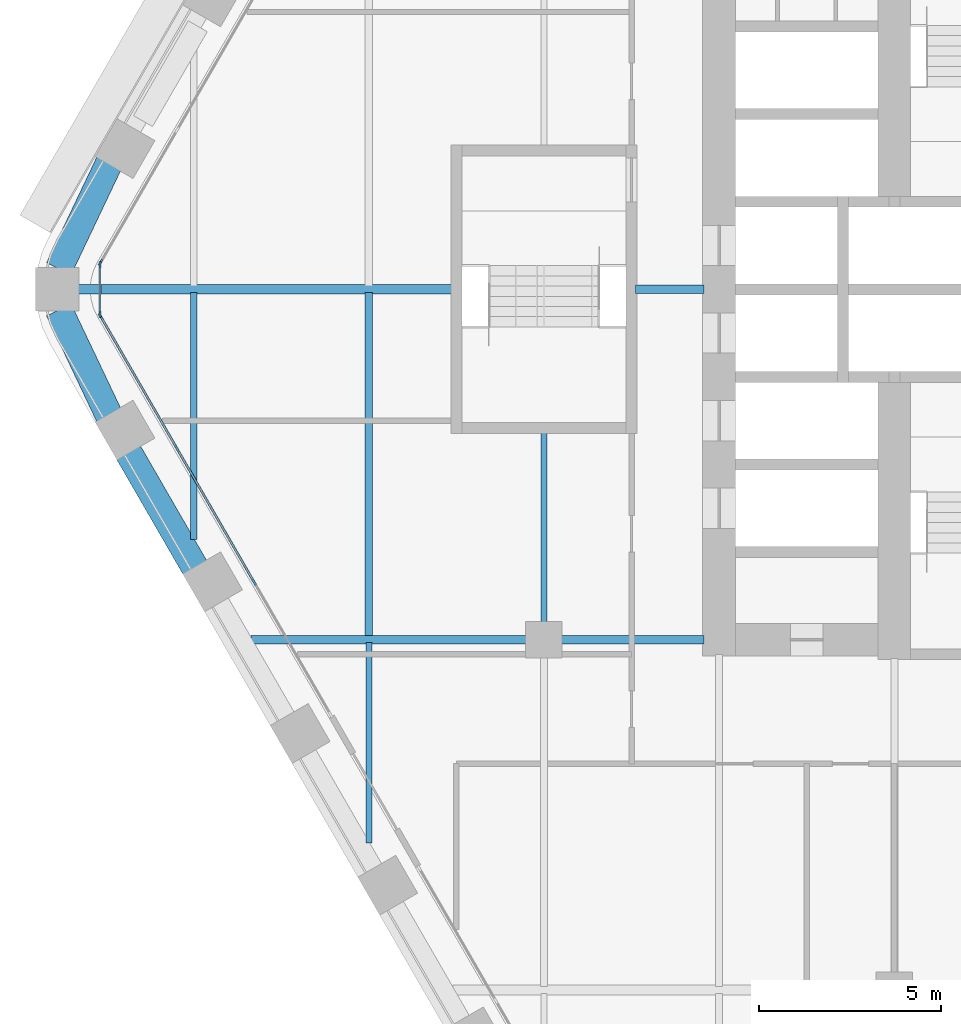
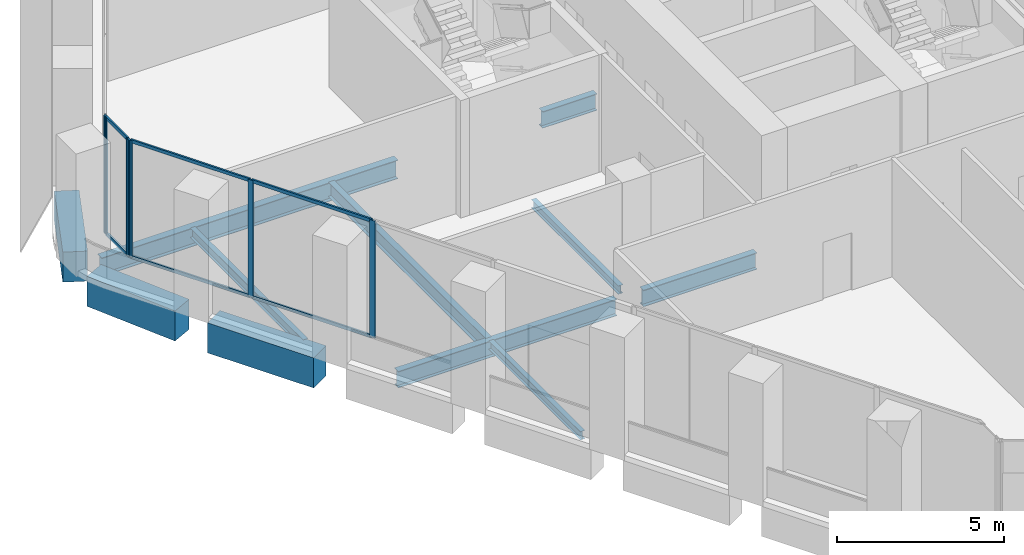
# One storey, part 3 of 22: 12 members, 11 beams, 3 elements without a shape of their own.
"""IFC4 building model written with IfcOpenShell, lengths in metres."""

from ifc_helpers import new_model, si_unit, direction, frame, origin, origin_2d, place, context, subcontext, project, spatial, rectangle, i_section, extrude, material, material_profile, profile_set, type_object, element, aggregate, save


model = new_model("IFC4")

# Units and contexts
model_context = context("Model", 3, precision=1e-05, world=origin(), true_north=direction((0.0, 1.0)))
body_context = subcontext(model_context, "Body", "Model", "MODEL_VIEW")
ifc_project = project(units=[si_unit("LENGTHUNIT", "METRE"), si_unit("AREAUNIT", "SQUARE_METRE"), si_unit("VOLUMEUNIT", "CUBIC_METRE"), si_unit("PLANEANGLEUNIT", "RADIAN"), si_unit("MASSUNIT", "GRAM", prefix="KILO")], contexts=[model_context])

# Site, building, storey
site_placement = place(None, origin())
site = spatial("IfcSite", under=ifc_project, at=site_placement, CompositionType="ELEMENT")
building_placement = place(site_placement, origin())
building = spatial("IfcBuilding", under=site, at=building_placement, Name="Kolab Exchange Tower", CompositionType="ELEMENT")
storey_placement = place(building_placement, frame((0.0, 0.0, 82.39990234375)))
storey = spatial("IfcBuildingStorey", under=building, at=storey_placement, Name="L15", CompositionType="ELEMENT", Elevation=82.39990234375)

# Beams
ifc_material_1 = material(Name="Steel S355", Category="steel")
ifc_material_profile_1 = material_profile(ifc_material_1, i_section(OverallWidth=0.1650390625, OverallDepth=0.31005859375, WebThickness=0.005859375, FlangeThickness=0.009765625, at=origin_2d()), Name="W310X39")
ifc_profile_set_1 = profile_set([ifc_material_profile_1], Name="Steel S355")
beam_type_1 = type_object("IfcBeamType", Name="FLOOR BEAM W310X39", PredefinedType="BEAM", material=ifc_profile_set_1)
beam_1_placement = place(storey_placement, frame((-24.0, -15.167724609375, -0.35498046875), z_axis=(0.0, 1.0, 0.0), x_axis=(-1.0, 0.0, 0.0)))
element("IfcBeam", 1, at=beam_1_placement, inside=storey, type_object=beam_type_1, Name="beam/L15/fr/002", PredefinedType="BEAM", context=body_context, shape_type="SweptSolid", body=[
    extrude(i_section(OverallWidth=0.1650390625, OverallDepth=0.31005859375, WebThickness=0.005859375, FlangeThickness=0.009765625, at=origin_2d()), origin(), (0.0, 0.0, 1.0), 5.49365234375),
])
beam_2_placement = place(storey_placement, frame((-19.199951171875, -9.139892578125, -0.35498046875), z_axis=(0.0, 1.0, 0.0), x_axis=(-1.0, 0.0, 0.0)))
element("IfcBeam", 2, at=beam_2_placement, inside=storey, type_object=beam_type_1, Name="beam/L15/fr/008", PredefinedType="BEAM", context=body_context, shape_type="SweptSolid", body=[
    extrude(i_section(OverallWidth=0.1650390625, OverallDepth=0.31005859375, WebThickness=0.005859375, FlangeThickness=0.009765625, at=origin_2d()), origin(), (0.0, 0.0, 1.0), 5.22998046875),
])
ifc_material_profile_2 = material_profile(ifc_material_1, i_section(OverallWidth=0.1708984375, OverallDepth=0.35498046875, WebThickness=0.007080078125, FlangeThickness=0.01171875, at=origin_2d()), Name="W360X51")
ifc_profile_set_2 = profile_set([ifc_material_profile_2], Name="Steel S355")
beam_type_2 = type_object("IfcBeamType", Name="FLOOR BEAM W360X51", PredefinedType="BEAM", material=ifc_profile_set_2)
beam_3_placement = place(storey_placement, frame((-28.800048828125, -6.853759765625, -0.37744140625), z_axis=(0.0, 1.0, 0.0), x_axis=(-1.0, 0.0, 0.0)))
element("IfcBeam", 3, at=beam_3_placement, inside=storey, type_object=beam_type_2, Name="beam/L15/fr/000", PredefinedType="BEAM", context=body_context, shape_type="SweptSolid", body=[
    extrude(i_section(OverallWidth=0.1708984375, OverallDepth=0.35498046875, WebThickness=0.007080078125, FlangeThickness=0.01171875, at=origin_2d()), origin(), (0.0, 0.0, 1.0), 6.766845703125),
])
ifc_material_profile_3 = material_profile(ifc_material_1, i_section(OverallWidth=0.208984375, OverallDepth=0.532958984375, WebThickness=0.01025390625, FlangeThickness=0.015625, at=origin_2d()), Name="W530X92")
ifc_profile_set_3 = profile_set([ifc_material_profile_3], Name="Steel S355")
beam_type_3 = type_object("IfcBeamType", Name="FLOOR BEAM W530X92", PredefinedType="BEAM", material=ifc_profile_set_3)
beam_4_placement = place(storey_placement, frame((-24.0, -9.52587890625, -0.46630859375), z_axis=(0.0, 1.0, 0.0), x_axis=(-1.0, 0.0, 0.0)))
element("IfcBeam", 4, at=beam_4_placement, inside=storey, type_object=beam_type_3, Name="beam/L15/fr/003", PredefinedType="BEAM", context=body_context, shape_type="SweptSolid", body=[
    extrude(i_section(OverallWidth=0.208984375, OverallDepth=0.532958984375, WebThickness=0.01025390625, FlangeThickness=0.015625, at=origin_2d()), origin(), (0.0, 0.0, 1.0), 9.43896484375),
])
ifc_material_profile_4 = material_profile(ifc_material_1, i_section(OverallWidth=0.22802734375, OverallDepth=0.60791015625, WebThickness=0.01123046875, FlangeThickness=0.017333984375, at=origin_2d()), Name="W610X113")
ifc_profile_set_4 = profile_set([ifc_material_profile_4], Name="Steel S355")
beam_type_4 = type_object("IfcBeamType", Name="FLOOR GIRDER W610X113", PredefinedType="BEAM", material=ifc_profile_set_4)
beam_5_placement = place(storey_placement, frame((-27.2314453125, -9.60009765625, -0.50390625), z_axis=(1.0, 0.0, 0.0), x_axis=(0.0, 1.0, 0.0)))
element("IfcBeam", 5, at=beam_5_placement, inside=storey, type_object=beam_type_4, Name="beam/L15/gd/001", PredefinedType="BEAM", context=body_context, shape_type="SweptSolid", body=[
    extrude(i_section(OverallWidth=0.22802734375, OverallDepth=0.60791015625, WebThickness=0.01123046875, FlangeThickness=0.017333984375, at=origin_2d()), origin(), (0.0, 0.0, 1.0), 7.571533203125),
])
beam_6_placement = place(storey_placement, frame((-18.739990234375, -9.60009765625, -0.50390625), z_axis=(1.0, 0.0, 0.0), x_axis=(0.0, 1.0, 0.0)))
element("IfcBeam", 6, at=beam_6_placement, inside=storey, type_object=beam_type_4, Name="beam/L15/gd/005", PredefinedType="BEAM", context=body_context, shape_type="SweptSolid", body=[
    extrude(i_section(OverallWidth=0.22802734375, OverallDepth=0.60791015625, WebThickness=0.01123046875, FlangeThickness=0.017333984375, at=origin_2d()), origin(), (0.0, 0.0, 1.0), 3.929931640625),
])
beam_7_placement = place(storey_placement, frame((-16.68994140625, 0.0, -0.50390625), z_axis=(1.0, 0.0, 0.0), x_axis=(0.0, 1.0, 0.0)))
element("IfcBeam", 7, at=beam_7_placement, inside=storey, type_object=beam_type_4, Name="beam/L15/gd/007", PredefinedType="BEAM", context=body_context, shape_type="SweptSolid", body=[
    extrude(i_section(OverallWidth=0.22802734375, OverallDepth=0.60791015625, WebThickness=0.01123046875, FlangeThickness=0.017333984375, at=origin_2d()), origin(), (0.0, 0.0, 1.0), 1.8798828125),
])
ifc_material_profile_5 = material_profile(ifc_material_1, i_section(OverallWidth=0.25390625, OverallDepth=0.68408203125, WebThickness=0.012451171875, FlangeThickness=0.018798828125, at=origin_2d()), Name="W690X140")
ifc_profile_set_5 = profile_set([ifc_material_profile_5], Name="Steel S355")
beam_type_5 = type_object("IfcBeamType", Name="FLOOR GIRDER W690X140", PredefinedType="BEAM", material=ifc_profile_set_5)
beam_8_placement = place(storey_placement, frame((-31.975830078125, 0.0, -0.5419921875), z_axis=(1.0, 0.0, 0.0), x_axis=(0.0, 1.0, 0.0)))
element("IfcBeam", 8, at=beam_8_placement, inside=storey, type_object=beam_type_5, Name="beam/L15/gd/000", PredefinedType="BEAM", context=body_context, shape_type="SweptSolid", body=[
    extrude(i_section(OverallWidth=0.25390625, OverallDepth=0.68408203125, WebThickness=0.012451171875, FlangeThickness=0.018798828125, at=origin_2d()), origin(), (0.0, 0.0, 1.0), 10.265869140625),
])
ifc_material_2 = material(Name="Concrete C70/85", Category="concrete")
ifc_material_profile_6 = material_profile(ifc_material_2, rectangle(XDim=0.75, YDim=1.10009765625, at=origin_2d()), Name="RC750X1100")
ifc_profile_set_6 = profile_set([ifc_material_profile_6], Name="Concrete C70/85")
beam_type_6 = type_object("IfcBeamType", Name="SPANDREL BEAM 750X1100 C70/85", PredefinedType="BEAM", material=ifc_profile_set_6)
beam_9_placement = place(storey_placement, frame((-28.755126953125, -7.641357421875, -0.75), z_axis=(-0.500013413428, 0.866017659399, 0.0), x_axis=(-0.866017659399, -0.500013413428, 0.0)))
element("IfcBeam", 9, at=beam_9_placement, inside=storey, type_object=beam_type_6, Name="beam/L15/sp/F5-06", PredefinedType="BEAM", context=body_context, shape_type="SweptSolid", body=[
    extrude(rectangle(XDim=0.75, YDim=1.10009765625, at=origin_2d()), origin(), (0.0, 0.0, 1.0), 3.68017578125),
])
for number, where, z_axis, x_axis, name in (
    (10, (-31.116455078125, -3.4619140625, -0.75), (-0.429041292193, 0.903284877319, 0.0), (-0.903284877319, -0.429041292193, 0.0), "beam/L15/sp/F5-07"),
    (11, (-32.492919921875, 0.56396484375, -0.75), (0.429041292193, 0.903284877319, 0.0), (-0.903284877319, 0.429041292193, 0.0), "beam/L15/sp/F6-01"),
):
    element("IfcBeam", number, at=place(storey_placement, frame(where, z_axis=z_axis, x_axis=x_axis)), inside=storey, type_object=beam_type_6, Name=name, PredefinedType="BEAM", context=body_context, shape_type="SweptSolid", body=[
        extrude(rectangle(XDim=0.75, YDim=1.10009765625, at=origin_2d()), origin(), (0.0, 0.0, 1.0), 3.208251953125),
    ])

# Curtain wall, members
ifc_material_3 = material(Name="Aluminium EN AW-6063 T6", Category="aluminium")
curtain_wall_type = type_object("IfcCurtainWallType", Name="UNITISED LOWER MID ZONE CURTAIN WALL", PredefinedType="NOTDEFINED", material=ifc_material_3)
curtain_wall_1_placement = place(storey_placement, origin())
curtain_wall_1 = element("IfcCurtainWall", 12, at=curtain_wall_1_placement, inside=storey, type_object=curtain_wall_type, Name="cw/L15/F5-2", PredefinedType="NOTDEFINED")
ifc_material_profile_7 = material_profile(ifc_material_3, rectangle(XDim=0.06005859375, YDim=0.179931640625, at=origin_2d()), Name="RECT 60X180")
ifc_profile_set_7 = profile_set([ifc_material_profile_7], Name="Aluminium EN AW-6063 T6")
member_type_1 = type_object("IfcMemberType", Name="UNITISED LOWER MID ZONE MULLION 60 X 180", PredefinedType="MULLION", material=ifc_profile_set_7)
member_1_placement = place(storey_placement, frame((-27.14306640625, -8.02392578125, 0.0), z_axis=(0.0, 0.0, 1.0), x_axis=(-0.866025427826, -0.499999958358, 0.0)))
member_1 = element("IfcMember", 13, at=member_1_placement, type_object=member_type_1, Name="CW2 mullion 2", PredefinedType="MULLION", context=body_context, shape_type="SweptSolid", body=[
    extrude(rectangle(XDim=0.06005859375, YDim=0.179931640625, at=origin_2d()), origin(), (0.0, 0.0, 1.0), 4.300048828125),
])
member_2_placement = place(storey_placement, frame((-29.25439453125, -4.366943359375, 0.0), z_axis=(0.0, 0.0, 1.0), x_axis=(-0.866025427826, -0.499999958358, 0.0)))
member_2 = element("IfcMember", 14, at=member_2_placement, type_object=member_type_1, Name="CW2 mullion 3", PredefinedType="MULLION", context=body_context, shape_type="SweptSolid", body=[
    extrude(rectangle(XDim=0.06005859375, YDim=0.179931640625, at=origin_2d()), origin(), (0.0, 0.0, 1.0), 4.300048828125),
])
member_3_placement = place(storey_placement, frame((-31.3505859375, -0.736083984375, 0.0), z_axis=(0.0, 0.0, 1.0), x_axis=(-0.866025427826, -0.499999958358, 0.0)))
member_3 = element("IfcMember", 15, at=member_3_placement, type_object=member_type_1, Name="CW2 mullion 4", PredefinedType="MULLION", context=body_context, shape_type="SweptSolid", body=[
    extrude(rectangle(XDim=0.06005859375, YDim=0.179931640625, at=origin_2d()), origin(), (0.0, 0.0, 1.0), 4.300048828125),
])

# Curtain wall, member
curtain_wall_2_placement = place(storey_placement, origin())
curtain_wall_2 = element("IfcCurtainWall", 16, at=curtain_wall_2_placement, inside=storey, type_object=curtain_wall_type, Name="cw/L15/F6-1", PredefinedType="NOTDEFINED")
member_4_placement = place(storey_placement, frame((-31.3505859375, 0.736083984375, 0.0), z_axis=(0.0, 0.0, 1.0), x_axis=(-0.866025427826, 0.499999958358, 0.0)))
member_4 = element("IfcMember", 17, at=member_4_placement, type_object=member_type_1, Name="CW2 mullion 1", PredefinedType="MULLION", context=body_context, shape_type="SweptSolid", body=[
    extrude(rectangle(XDim=0.06005859375, YDim=0.179931640625, at=origin_2d()), origin(), (0.0, 0.0, 1.0), 4.300048828125),
])
aggregate(curtain_wall_2, [member_4])

# Curtain wall, members
curtain_wall_3_placement = place(storey_placement, origin())
curtain_wall_3 = element("IfcCurtainWall", 18, at=curtain_wall_3_placement, inside=storey, type_object=curtain_wall_type, Name="cw/L15/F5F6-corner", PredefinedType="NOTDEFINED")
member_5_placement = place(storey_placement, frame((-31.36572265625, -0.679931640625, 0.0), z_axis=(0.0, 0.0, 1.0), x_axis=(-1.0, 0.0, 0.0)))
member_5 = element("IfcMember", 19, at=member_5_placement, type_object=member_type_1, Name="CW2 mullion 1", PredefinedType="MULLION", context=body_context, shape_type="SweptSolid", body=[
    extrude(rectangle(XDim=0.06005859375, YDim=0.179931640625, at=origin_2d()), origin(), (0.0, 0.0, 1.0), 4.300048828125),
])
member_6_placement = place(storey_placement, frame((-31.36572265625, 0.679931640625, 0.0), z_axis=(0.0, 0.0, 1.0), x_axis=(-1.0, 0.0, 0.0)))
member_6 = element("IfcMember", 20, at=member_6_placement, type_object=member_type_1, Name="CW2 mullion 2", PredefinedType="MULLION", context=body_context, shape_type="SweptSolid", body=[
    extrude(rectangle(XDim=0.06005859375, YDim=0.179931640625, at=origin_2d()), origin(), (0.0, 0.0, 1.0), 4.300048828125),
])

# Member
ifc_material_profile_8 = material_profile(ifc_material_3, rectangle(XDim=0.06005859375, YDim=0.1201171875, at=origin_2d()), Name="RECT 60X120")
ifc_profile_set_8 = profile_set([ifc_material_profile_8], Name="Aluminium EN AW-6063 T6")
member_type_2 = type_object("IfcMemberType", Name="UNITISED LOWER MID ZONE TRANSOM 60 X 120", PredefinedType="USERDEFINED", material=ifc_profile_set_8)
member_7_placement = place(storey_placement, frame((-27.157958984375, -7.997802734375, 0.030029296875), z_axis=(-0.49999322259, 0.866029316688, 0.0), x_axis=(-0.866029316688, -0.49999322259, 0.0)))
member_7 = element("IfcMember", 21, at=member_7_placement, type_object=member_type_2, Name="CW2 transom 2.1", ObjectType="TRANSOM", PredefinedType="USERDEFINED", context=body_context, shape_type="SweptSolid", body=[
    extrude(rectangle(XDim=0.06005859375, YDim=0.1201171875, at=origin_2d()), origin(), (0.0, 0.0, 1.0), 4.16259765625),
])

member_8_placement = place(storey_placement, frame((-27.157958984375, -7.997802734375, 4.27001953125), z_axis=(-0.49999322259, 0.866029316688, 0.0), x_axis=(-0.866029316688, -0.49999322259, 0.0)))
member_8 = element("IfcMember", 22, at=member_8_placement, type_object=member_type_2, Name="CW2 transom 2.2", ObjectType="TRANSOM", PredefinedType="USERDEFINED", context=body_context, shape_type="SweptSolid", body=[
    extrude(rectangle(XDim=0.06005859375, YDim=0.1201171875, at=origin_2d()), origin(), (0.0, 0.0, 1.0), 4.16259765625),
])

member_9_placement = place(storey_placement, frame((-29.269287109375, -4.3408203125, 0.030029296875), z_axis=(-0.500027577057, 0.866009481578, 0.0), x_axis=(-0.866009481578, -0.500027577057, 0.0)))
member_9 = element("IfcMember", 23, at=member_9_placement, type_object=member_type_2, Name="CW2 transom 3.1", ObjectType="TRANSOM", PredefinedType="USERDEFINED", context=body_context, shape_type="SweptSolid", body=[
    extrude(rectangle(XDim=0.06005859375, YDim=0.1201171875, at=origin_2d()), origin(), (0.0, 0.0, 1.0), 4.132568359375),
])

member_10_placement = place(storey_placement, frame((-29.269287109375, -4.3408203125, 4.27001953125), z_axis=(-0.500027577057, 0.866009481578, 0.0), x_axis=(-0.866009481578, -0.500027577057, 0.0)))
member_10 = element("IfcMember", 24, at=member_10_placement, type_object=member_type_2, Name="CW2 transom 3.2", ObjectType="TRANSOM", PredefinedType="USERDEFINED", context=body_context, shape_type="SweptSolid", body=[
    extrude(rectangle(XDim=0.06005859375, YDim=0.1201171875, at=origin_2d()), origin(), (0.0, 0.0, 1.0), 4.132568359375),
])

aggregate(curtain_wall_1, [member_1, member_2, member_3, member_7, member_8, member_9, member_10])

member_11_placement = place(storey_placement, frame((-31.36572265625, -0.64990234375, 0.030029296875), z_axis=(0.0, 1.0, 0.0), x_axis=(-1.0, 0.0, 0.0)))
member_11 = element("IfcMember", 25, at=member_11_placement, type_object=member_type_2, Name="CW2 transom 1.1", ObjectType="TRANSOM", PredefinedType="USERDEFINED", context=body_context, shape_type="SweptSolid", body=[
    extrude(rectangle(XDim=0.06005859375, YDim=0.1201171875, at=origin_2d()), origin(), (0.0, 0.0, 1.0), 1.2998046875),
])

member_12_placement = place(storey_placement, frame((-31.36572265625, -0.64990234375, 4.27001953125), z_axis=(0.0, 1.0, 0.0), x_axis=(-1.0, 0.0, 0.0)))
member_12 = element("IfcMember", 26, at=member_12_placement, type_object=member_type_2, Name="CW2 transom 1.2", ObjectType="TRANSOM", PredefinedType="USERDEFINED", context=body_context, shape_type="SweptSolid", body=[
    extrude(rectangle(XDim=0.06005859375, YDim=0.1201171875, at=origin_2d()), origin(), (0.0, 0.0, 1.0), 1.2998046875),
])

aggregate(curtain_wall_3, [member_5, member_6, member_11, member_12])

save(model, "model.ifc")
